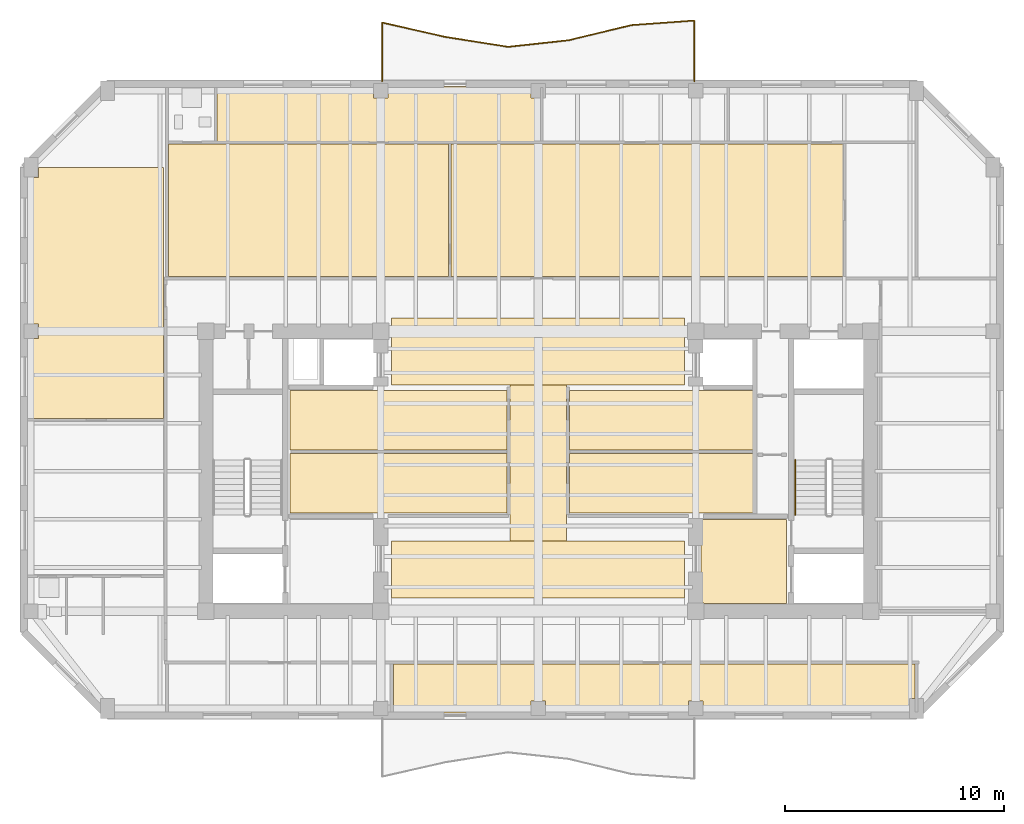
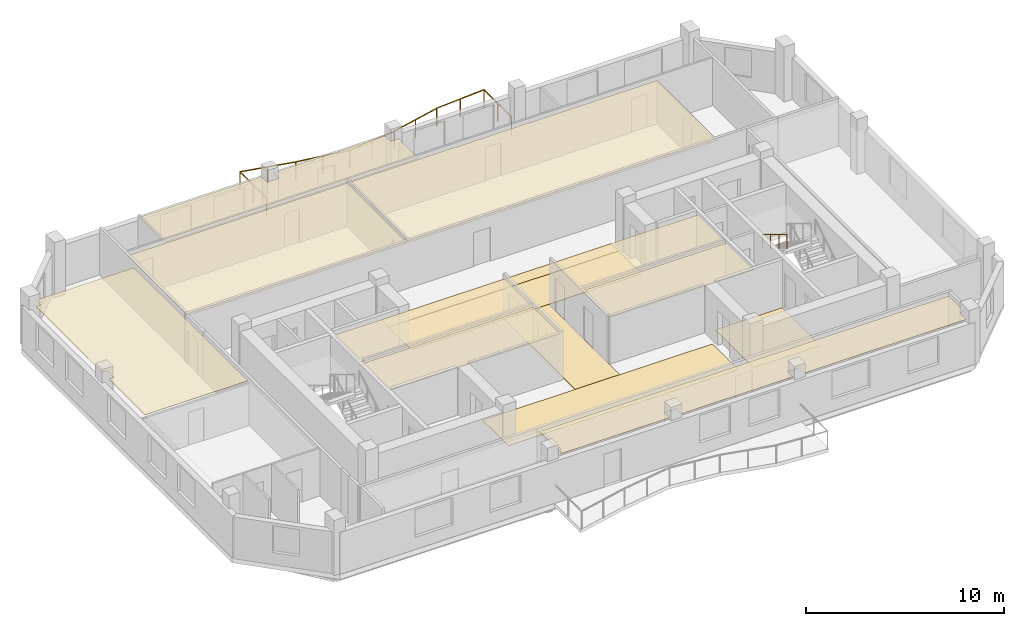
# One storey, part 8 of 10: 14 coverings, 2 railings.
"""IFC4 building model written with IfcOpenShell, lengths in metres."""

from ifc_helpers import new_model, si_unit, direction, frame, origin, origin_2d, place, context, subcontext, project, spatial, polyline, circle, outline, extrude, material, layer, layer_set, type_object, element, save


model = new_model("IFC4")

# Units and contexts
model_context = context("Model", 3, precision=1e-05, world=origin(), true_north=direction((0.0, 1.0)))
body_context = subcontext(model_context, "Body", "Model", "MODEL_VIEW")
ifc_project = project(units=[si_unit("LENGTHUNIT", "METRE"), si_unit("AREAUNIT", "SQUARE_METRE"), si_unit("VOLUMEUNIT", "CUBIC_METRE"), si_unit("PLANEANGLEUNIT", "RADIAN"), si_unit("MASSUNIT", "GRAM", prefix="KILO")], contexts=[model_context])

# Site, building, storey
site_placement = place(None, origin())
site = spatial("IfcSite", under=ifc_project, at=site_placement, CompositionType="ELEMENT")
building_placement = place(site_placement, origin())
building = spatial("IfcBuilding", under=site, at=building_placement, Name="Kranthara Brick Stack", CompositionType="ELEMENT")
storey_placement = place(building_placement, frame((0.0, 0.0, 278.89990234375)))
storey = spatial("IfcBuildingStorey", under=building, at=storey_placement, Name="L74", CompositionType="ELEMENT", Elevation=278.89990234375)

# Coverings
ifc_material_1 = material(Name="Perforated mineral-fibre acoustic ceiling tile", Category="other")
ifc_layer_1 = layer(ifc_material_1, 0.02490234375)
ifc_layer_set_1 = layer_set([ifc_layer_1], Name="Perforated mineral-fibre acoustic ceiling tile")
covering_type_1 = type_object("IfcCoveringType", Name="COV-CEIL-ACOUSTIC", PredefinedType="CEILING", material=ifc_layer_set_1)
covering_1_placement = place(storey_placement, frame((0.0, 0.0, 2.68017578125)))
element("IfcCovering", 1, at=covering_1_placement, inside=storey, type_object=covering_type_1, Name="L74 L74 Sky Club Study Room Acoustic Ceiling", PredefinedType="CEILING", context=body_context, shape_type="SweptSolid", body=[
    extrude(outline(polyline([(26.570068359375, 25.300048828125), (26.570068359375, 28.02001953125), (16.64990234375, 28.02001953125), (16.64990234375, 25.300048828125), (26.570068359375, 25.300048828125)])), origin(), (0.0, 0.0, 1.0), 0.02490234375),
])
covering_2_placement = place(storey_placement, frame((0.0, 0.0, 2.68017578125)))
element("IfcCovering", 2, at=covering_2_placement, inside=storey, type_object=covering_type_1, Name="L74 L74 Sky Club Media Salon Acoustic Ceiling", PredefinedType="CEILING", context=body_context, shape_type="SweptSolid", body=[
    extrude(outline(polyline([(26.570068359375, 28.179931640625), (26.570068359375, 30.89990234375), (16.64990234375, 30.89990234375), (16.64990234375, 28.179931640625), (26.570068359375, 28.179931640625)])), origin(), (0.0, 0.0, 1.0), 0.02490234375),
])
covering_3_placement = place(storey_placement, frame((0.0, 0.0, 2.68017578125)))
element("IfcCovering", 3, at=covering_3_placement, inside=storey, type_object=covering_type_1, Name="L74 L74 Sky Club Tea Room Acoustic Ceiling", PredefinedType="CEILING", context=body_context, shape_type="SweptSolid", body=[
    extrude(outline(polyline([(37.8798828125, 25.300048828125), (37.8798828125, 28.02001953125), (29.429931640625, 28.02001953125), (29.429931640625, 25.300048828125), (37.8798828125, 25.300048828125)])), origin(), (0.0, 0.0, 1.0), 0.02490234375),
])
covering_4_placement = place(storey_placement, frame((0.0, 0.0, 2.68017578125)))
element("IfcCovering", 4, at=covering_4_placement, inside=storey, type_object=covering_type_1, Name="L74 L74 Sky Club Private Dining Room Acoustic Ceiling", PredefinedType="CEILING", context=body_context, shape_type="SweptSolid", body=[
    extrude(outline(polyline([(37.8798828125, 28.179931640625), (37.8798828125, 30.89990234375), (29.429931640625, 30.89990234375), (29.429931640625, 28.179931640625), (37.8798828125, 28.179931640625)])), origin(), (0.0, 0.0, 1.0), 0.02490234375),
])
covering_5_placement = place(storey_placement, frame((0.0, 0.0, 2.68017578125)))
element("IfcCovering", 5, at=covering_5_placement, inside=storey, type_object=covering_type_1, Name="L74 L74 Sky Club Observation Lounge 2 Acoustic Ceiling", PredefinedType="CEILING", context=body_context, shape_type="SweptSolid", body=[
    extrude(outline(polyline([(45.219970703125, 18.3798828125), (45.219970703125, 16.81005859375), (44.965087890625, 16.81005859375), (44.965087890625, 16.14990234375), (35.534912109375, 16.14990234375), (35.534912109375, 16.68505859375), (34.864990234375, 16.68505859375), (34.864990234375, 16.14990234375), (28.3349609375, 16.14990234375), (28.3349609375, 16.68505859375), (27.6650390625, 16.68505859375), (27.6650390625, 16.14990234375), (21.384033203125, 16.14990234375), (21.384033203125, 18.3798828125), (45.219970703125, 18.3798828125)])), origin(), (0.0, 0.0, 1.0), 0.02490234375),
])
covering_6_placement = place(storey_placement, frame((0.0, 0.0, 2.68017578125)))
element("IfcCovering", 6, at=covering_6_placement, inside=storey, type_object=covering_type_1, Name="L74 Unit L74A 3-Bed Apartment Living Dining Acoustic Ceiling", PredefinedType="CEILING", context=body_context, shape_type="SweptSolid", body=[
    extrude(outline(polyline([(23.89990234375, 36.10009765625), (23.89990234375, 42.169921875), (11.10009765625, 42.169921875), (11.10009765625, 36.10009765625), (23.89990234375, 36.10009765625)])), origin(), (0.0, 0.0, 1.0), 0.02490234375),
])
covering_7_placement = place(storey_placement, frame((0.0, 0.0, 2.68017578125)))
element("IfcCovering", 7, at=covering_7_placement, inside=storey, type_object=covering_type_1, Name="L74 Unit L74A Private Study Room Acoustic Ceiling", PredefinedType="CEILING", context=body_context, shape_type="SweptSolid", body=[
    extrude(outline(polyline([(41.969970703125, 36.10009765625), (41.969970703125, 42.169921875), (24.0, 42.169921875), (24.0, 36.10009765625), (41.969970703125, 36.10009765625)])), origin(), (0.0, 0.0, 1.0), 0.02490234375),
])
covering_8_placement = place(storey_placement, frame((0.0, 0.0, 2.68017578125)))
element("IfcCovering", 8, at=covering_8_placement, inside=storey, type_object=covering_type_1, Name="L74 Unit L74A Kitchen Acoustic Ceiling", PredefinedType="CEILING", context=body_context, shape_type="SweptSolid", body=[
    extrude(outline(polyline([(28.110107421875, 42.25), (13.300048828125, 42.25), (13.300048828125, 44.800048828125), (20.465087890625, 44.800048828125), (20.465087890625, 44.264892578125), (21.135009765625, 44.264892578125), (21.135009765625, 44.800048828125), (27.6650390625, 44.800048828125), (27.6650390625, 44.264892578125), (28.110107421875, 44.264892578125), (28.110107421875, 42.25)])), origin(), (0.0, 0.0, 1.0), 0.02490234375),
])
covering_9_placement = place(storey_placement, frame((0.0, 0.0, 2.68017578125)))
element("IfcCovering", 9, at=covering_9_placement, inside=storey, type_object=covering_type_1, Name="L74 Unit L74B 1-Bed Apartment Living Dining Acoustic Ceiling", PredefinedType="CEILING", context=body_context, shape_type="SweptSolid", body=[
    extrude(outline(polyline([(10.860107421875, 41.10009765625), (10.860107421875, 29.60595703125), (4.8701171875, 29.60595703125), (4.8701171875, 33.264892578125), (5.135009765625, 33.264892578125), (5.135009765625, 33.93505859375), (4.8701171875, 33.93505859375), (4.8701171875, 40.639892578125), (5.135009765625, 40.639892578125), (5.135009765625, 41.10009765625), (10.860107421875, 41.10009765625)])), origin(), (0.0, 0.0, 1.0), 0.02490234375),
])
ifc_material_2 = material(Name="Honed terrazzo and porcelain floor finish", Category="stone")
ifc_layer_2 = layer(ifc_material_2, 0.030029296875)
ifc_layer_set_2 = layer_set([ifc_layer_2], Name="Honed terrazzo and porcelain floor finish")
covering_type_2 = type_object("IfcCoveringType", Name="COV-FLOR-STONE", PredefinedType="FLOORING", material=ifc_layer_set_2)
covering_10_placement = place(storey_placement, origin())
element("IfcCovering", 10, at=covering_10_placement, inside=storey, type_object=covering_type_2, Name="L74 Lift Lobby Stone Flooring", PredefinedType="FLOORING", context=body_context, shape_type="SweptSolid", body=[
    extrude(outline(polyline([(35.449951171875, 25.0), (39.35009765625, 25.0), (39.35009765625, 21.14990234375), (35.5849609375, 21.14990234375), (35.5849609375, 21.18505859375), (35.449951171875, 21.18505859375), (35.449951171875, 25.0)])), origin(), (0.0, 0.0, 1.0), 0.030029296875),
])
covering_11_placement = place(storey_placement, origin())
element("IfcCovering", 11, at=covering_11_placement, inside=storey, type_object=covering_type_2, Name="L74 Lift Lobby Stone Flooring", PredefinedType="FLOORING", context=body_context, shape_type="SweptSolid", body=[
    extrude(outline(polyline([(34.699951171875, 21.39990234375), (34.699951171875, 24.0), (21.300048828125, 24.0), (21.300048828125, 21.39990234375), (34.699951171875, 21.39990234375)])), origin(), (0.0, 0.0, 1.0), 0.030029296875),
])
covering_12_placement = place(storey_placement, origin())
element("IfcCovering", 12, at=covering_12_placement, inside=storey, type_object=covering_type_2, Name="L74 Lift Lobby Stone Flooring", PredefinedType="FLOORING", context=body_context, shape_type="SweptSolid", body=[
    extrude(outline(polyline([(34.699951171875, 31.14990234375), (34.699951171875, 33.449951171875), (21.300048828125, 33.449951171875), (21.300048828125, 31.14990234375), (34.699951171875, 31.14990234375)])), origin(), (0.0, 0.0, 1.0), 0.030029296875),
])
covering_13_placement = place(storey_placement, origin())
element("IfcCovering", 13, at=covering_13_placement, inside=storey, type_object=covering_type_2, Name="L74 Lift Lobby Stone Flooring", PredefinedType="FLOORING", context=body_context, shape_type="SweptSolid", body=[
    extrude(outline(polyline([(29.300048828125, 24.0), (26.699951171875, 24.0), (26.699951171875, 31.14990234375), (29.300048828125, 31.14990234375), (29.300048828125, 24.0)])), origin(), (0.0, 0.0, 1.0), 0.030029296875),
])
covering_14_placement = place(storey_placement, origin())
element("IfcCovering", 14, at=covering_14_placement, inside=storey, type_object=covering_type_2, Name="L74 Lift Lobby Stone Flooring", PredefinedType="FLOORING", context=body_context, shape_type="SweptSolid", body=[
    extrude(outline(polyline([(34.699951171875, 33.449951171875), (21.300048828125, 33.449951171875), (21.300048828125, 34.199951171875), (34.699951171875, 34.199951171875), (34.699951171875, 33.449951171875)])), origin(), (0.0, 0.0, 1.0), 0.030029296875),
])

# Railings
ifc_material_3 = material(Name="Bronze anodised aluminium and laminated glass balustrade", Category="aluminium")
railing_type_1 = type_object("IfcRailingType", Name="RL-BALC-1120", PredefinedType="BALUSTRADE", material=ifc_material_3)
railing_1_placement = place(storey_placement, frame((20.860107421875, 45.0400390625, 0.0)))
element("IfcRailing", 15, at=railing_1_placement, inside=storey, type_object=railing_type_1, Name="L74 North Rippling Balcony Balustrade", PredefinedType="BALUSTRADE", context=body_context, shape_type="SweptSolid", body=[
    extrude(circle(Radius=0.02392578125, at=origin_2d()), frame((0.0, 0.0, 1.09619140625), z_axis=(-0.000273049958, 0.999999962722, 0.0), x_axis=(-0.999999962722, -0.000273049958, 0.0)), (0.0, 0.0, 1.0), 2.682373046875),
    extrude(circle(Radius=0.02392578125, at=origin_2d()), frame((-0.000732421875, 2.682373046875, 1.09619140625), z_axis=(0.975085745305, -0.221828287879, 0.0), x_axis=(0.221828287879, 0.975085745305, 0.0)), (0.0, 0.0, 1.0), 2.953857421875),
    extrude(circle(Radius=0.02392578125, at=origin_2d()), frame((2.879638671875, 2.027099609375, 1.09619140625), z_axis=(0.987705190378, -0.156328042594, 0.0), x_axis=(0.156328042594, 0.987705190378, 0.0)), (0.0, 0.0, 1.0), 2.915771484375),
    extrude(circle(Radius=0.02392578125, at=origin_2d()), frame((5.759521484375, 1.5712890625, 1.09619140625), z_axis=(0.994145694886, 0.108047847454, 0.0), x_axis=(-0.108047847454, 0.994145694886, 0.0)), (0.0, 0.0, 1.0), 2.777099609375),
    extrude(circle(Radius=0.02392578125, at=origin_2d()), frame((8.520263671875, 1.871337890625, 1.09619140625), z_axis=(0.972218776255, 0.234074029097, 0.0), x_axis=(-0.234074029097, 0.972218776255, 0.0)), (0.0, 0.0, 1.0), 2.963134765625),
    extrude(circle(Radius=0.02392578125, at=origin_2d()), frame((11.401123046875, 2.56494140625, 1.09619140625), z_axis=(0.997382586811, 0.072304740692, 0.0), x_axis=(-0.072304740692, 0.997382586811, 0.0)), (0.0, 0.0, 1.0), 2.886962890625),
    extrude(circle(Radius=0.02392578125, at=origin_2d()), frame((14.280517578125, 2.773681640625, 1.09619140625), z_axis=(-0.000264061253, -0.999999965136, 0.0), x_axis=(0.999999965136, -0.000264061253, 0.0)), (0.0, 0.0, 1.0), 2.773681640625),
    extrude(circle(Radius=0.02099609375, at=origin_2d()), origin(), (0.0, 0.0, 1.0), 1.072021484375),
    extrude(circle(Radius=0.02099609375, at=origin_2d()), frame((-0.00048828125, 1.34130859375, 0.0)), (0.0, 0.0, 1.0), 1.072021484375),
    extrude(circle(Radius=0.02099609375, at=origin_2d()), frame((-0.000732421875, 2.682373046875, 0.0)), (0.0, 0.0, 1.0), 1.072021484375),
    extrude(circle(Radius=0.02099609375, at=origin_2d()), frame((1.439453125, 2.354736328125, 0.0)), (0.0, 0.0, 1.0), 1.072021484375),
    extrude(circle(Radius=0.02099609375, at=origin_2d()), frame((2.879638671875, 2.027099609375, 0.0)), (0.0, 0.0, 1.0), 1.072021484375),
    extrude(circle(Radius=0.02099609375, at=origin_2d()), frame((4.319580078125, 1.79931640625, 0.0)), (0.0, 0.0, 1.0), 1.072021484375),
    extrude(circle(Radius=0.02099609375, at=origin_2d()), frame((5.759521484375, 1.5712890625, 0.0)), (0.0, 0.0, 1.0), 1.072021484375),
    extrude(circle(Radius=0.02099609375, at=origin_2d()), frame((7.139892578125, 1.72119140625, 0.0)), (0.0, 0.0, 1.0), 1.072021484375),
    extrude(circle(Radius=0.02099609375, at=origin_2d()), frame((8.520263671875, 1.871337890625, 0.0)), (0.0, 0.0, 1.0), 1.072021484375),
    extrude(circle(Radius=0.02099609375, at=origin_2d()), frame((9.960693359375, 2.21826171875, 0.0)), (0.0, 0.0, 1.0), 1.072021484375),
    extrude(circle(Radius=0.02099609375, at=origin_2d()), frame((11.401123046875, 2.56494140625, 0.0)), (0.0, 0.0, 1.0), 1.072021484375),
    extrude(circle(Radius=0.02099609375, at=origin_2d()), frame((12.8408203125, 2.66943359375, 0.0)), (0.0, 0.0, 1.0), 1.072021484375),
    extrude(circle(Radius=0.02099609375, at=origin_2d()), frame((14.280517578125, 2.773681640625, 0.0)), (0.0, 0.0, 1.0), 1.072021484375),
    extrude(circle(Radius=0.02099609375, at=origin_2d()), frame((14.2802734375, 1.38671875, 0.0)), (0.0, 0.0, 1.0), 1.072021484375),
    extrude(circle(Radius=0.02099609375, at=origin_2d()), frame((14.27978515625, 0.0, 0.0)), (0.0, 0.0, 1.0), 1.072021484375),
])
ifc_material_4 = material(Name="Brushed stainless steel tubular handrail", Category="steel")
railing_type_2 = type_object("IfcRailingType", Name="RL-STAIR-HAND-900", PredefinedType="HANDRAIL", material=ifc_material_4)
railing_2_placement = place(storey_placement, frame((39.75, 27.719970703125, 1.8701171875)))
element("IfcRailing", 16, at=railing_2_placement, inside=storey, type_object=railing_type_2, Name="L74 ST02 stair handrail 2", PredefinedType="HANDRAIL", context=body_context, shape_type="SweptSolid", body=[
    extrude(circle(Radius=0.02392578125, at=origin_2d()), frame((0.0, 0.0, 0.8759765625), z_axis=(0.0, -0.85478489116, 0.518982456201), x_axis=(1.0, 0.0, 0.0)), (0.0, 0.0, 1.0), 2.9482421875),
    extrude(circle(Radius=0.02099609375, at=origin_2d()), origin(), (0.0, 0.0, 1.0), 0.851806640625),
    extrude(circle(Radius=0.02099609375, at=origin_2d()), frame((0.0, -0.840087890625, 0.510009765625)), (0.0, 0.0, 1.0), 0.851806640625),
    extrude(circle(Radius=0.02099609375, at=origin_2d()), frame((0.0, -1.679931640625, 1.02001953125)), (0.0, 0.0, 1.0), 0.851806640625),
    extrude(circle(Radius=0.02099609375, at=origin_2d()), frame((0.0, -2.52001953125, 1.530029296875)), (0.0, 0.0, 1.0), 0.851806640625),
])

save(model, "model.ifc")
